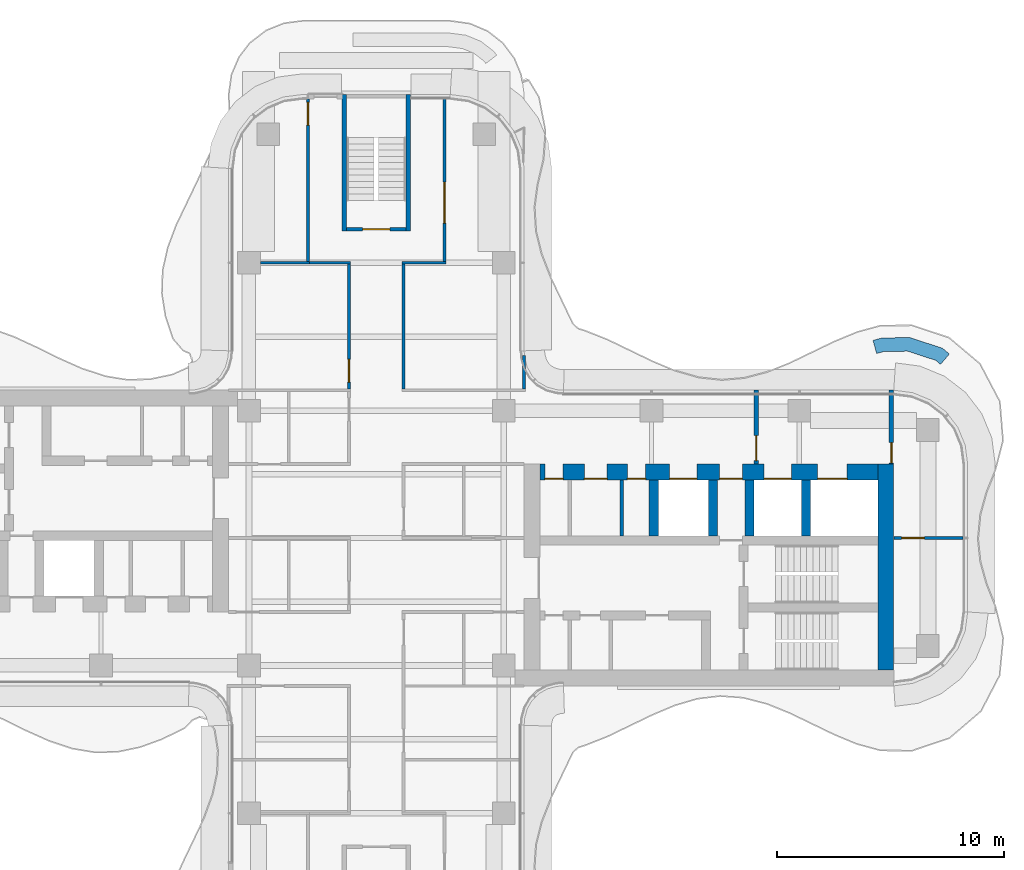
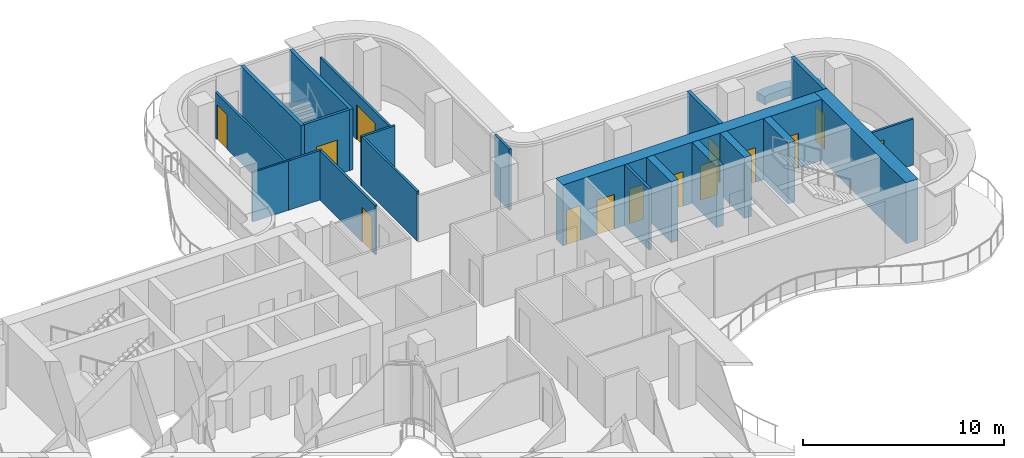
# One storey, part 13 of 16: 22 walls, 14 doors, 14 openings.
"""IFC4 building model written with IfcOpenShell, lengths in metres."""

from ifc_helpers import new_model, si_unit, direction, frame, frame_2d, origin, place, context, subcontext, project, spatial, polyline, rectangle, outline, extrude, source, transform, mapped, material, layer, layer_set, type_object, element, fill, save


model = new_model("IFC4")

# Units and contexts
model_context = context("Model", 3, precision=1e-05, world=origin(), true_north=direction((0.0, 1.0)))
body_context = subcontext(model_context, "Body", "Model", "MODEL_VIEW")
ifc_project = project(units=[si_unit("LENGTHUNIT", "METRE"), si_unit("AREAUNIT", "SQUARE_METRE"), si_unit("VOLUMEUNIT", "CUBIC_METRE"), si_unit("PLANEANGLEUNIT", "RADIAN"), si_unit("MASSUNIT", "GRAM", prefix="KILO")], contexts=[model_context])

# Site, building, storey
site_placement = place(None, origin())
site = spatial("IfcSite", under=ifc_project, at=site_placement, CompositionType="ELEMENT")
building_placement = place(site_placement, origin())
building = spatial("IfcBuilding", under=site, at=building_placement, Name="Trellis Farm Tower", CompositionType="ELEMENT")
storey_placement = place(building_placement, frame((0.0, 0.0, 302.800048828125)))
storey = spatial("IfcBuildingStorey", under=building, at=storey_placement, Name="L68", CompositionType="ELEMENT", Elevation=302.800048828125)

# Walls
ifc_material_1 = material(Name="Sandstone faced masonry planter", Category="masonry")
ifc_layer_1 = layer(ifc_material_1, 0.60009765625)
ifc_layer_set_1 = layer_set([ifc_layer_1], Name="PLANTER BED 600")
wall_type_1 = type_object("IfcWallType", Name="PLANTER BED 600", PredefinedType="USERDEFINED", material=ifc_layer_set_1)
wall_1_placement = place(storey_placement, origin())
element("IfcWall", 1, at=wall_1_placement, inside=storey, type_object=wall_type_1, Name="PLANTER bed", ObjectType="PLANTER", PredefinedType="USERDEFINED", context=body_context, shape_type="SweptSolid", body=[
    extrude(outline(polyline([(23.447998046875, 8.815673828125), (24.893310546875, 8.34521484375), (25.1943359375, 8.091064453125), (24.80712890625, 7.6328125), (24.595947265625, 7.81103515625), (23.357421875, 8.214111328125), (22.31201171875, 8.197998046875), (21.997314453125, 8.11083984375), (21.83740234375, 8.689208984375), (22.22607421875, 8.796630859375), (23.447998046875, 8.815673828125)])), origin(), (0.0, 0.0, 1.0), 0.5),
])
ifc_material_2 = material(Name="Concrete C50/60", Category="concrete")
ifc_layer_2 = layer(ifc_material_2, 0.699951171875)
ifc_layer_set_2 = layer_set([ifc_layer_2], Name="CORE OUTER WALL 700 CONCRETE C50/60")
wall_type_2 = type_object("IfcWallType", Name="CORE OUTER WALL 700 CONCRETE C50/60", PredefinedType="SHEAR", material=ifc_layer_set_2)
shared_shape_1 = source(origin(), body_context, "Body", "SweptSolid", [
    extrude(rectangle(XDim=9.050048828125, YDim=0.699951171875, at=frame_2d((4.52490234375, 0.0))), origin(), (0.0, 0.0, 1.0), 3.699951171875),
])
wall_2_placement = place(storey_placement, frame((22.39990234375, -5.800048828125, 0.0), z_axis=(0.0, 0.0, 1.0), x_axis=(0.0, 1.0, 0.0)))
element("IfcWall", 2, at=wall_2_placement, inside=storey, type_object=wall_type_2, Name="Core wall", PredefinedType="SHEAR", context=body_context, shape_type="MappedRepresentation", body=[
    mapped(shared_shape_1, transform((0.0, 0.0, 0.0))),
])
ifc_layer_3 = layer(ifc_material_2, 0.39990234375)
ifc_layer_set_3 = layer_set([ifc_layer_3], Name="CORE INNER WALL 400 CONCRETE C50/60")
wall_type_3 = type_object("IfcWallType", Name="CORE INNER WALL 400 CONCRETE C50/60", PredefinedType="SHEAR", material=ifc_layer_set_3)
shared_shape_2 = source(origin(), body_context, "Body", "SweptSolid", [
    extrude(rectangle(XDim=2.449951171875, YDim=0.39990234375, at=frame_2d((1.22509765625, 0.0))), origin(), (0.0, 0.0, 1.0), 3.699951171875),
])
for number, where, z_axis, x_axis, name in (
    (3, (12.199951171875, 0.10009765625, 0.0), (0.0, 0.0, 1.0), (0.0, 1.0, 0.0), "Core wall"),
    (4, (14.800048828125, 0.10009765625, 0.0), (0.0, 0.0, 1.0), (0.0, 1.0, 0.0), "Core wall"),
    (5, (16.39990234375, 0.10009765625, 0.0), (0.0, 0.0, 1.0), (0.0, 1.0, 0.0), "Core wall"),
    (6, (18.89990234375, 0.10009765625, 0.0), (0.0, 0.0, 1.0), (0.0, 1.0, 0.0), "Core wall"),
):
    element("IfcWall", number, at=place(storey_placement, frame(where, z_axis=z_axis, x_axis=x_axis)), inside=storey, type_object=wall_type_3, Name=name, PredefinedType="SHEAR", context=body_context, shape_type="MappedRepresentation", body=[
        mapped(shared_shape_2, transform((0.0, 0.0, 0.0))),
    ])

# Wall, opening, door
ifc_material_3 = material(Name="Masonry blockwork", Category="masonry")
ifc_layer_4 = layer(ifc_material_3, 0.199951171875)
ifc_layer_set_4 = layer_set([ifc_layer_4], Name="FIRE LOBBY PARTITION 200 BLOCKWORK")
wall_type_4 = type_object("IfcWallType", Name="FIRE LOBBY PARTITION 200 BLOCKWORK", PredefinedType="PARTITIONING", material=ifc_layer_set_4)
shared_shape_3 = source(origin(), body_context, "Body", "SweptSolid", [
    extrude(rectangle(XDim=3.25, YDim=0.199951171875, at=frame_2d((1.625, 0.0))), origin(), (0.0, 0.0, 1.0), 3.699951171875),
])
wall_3_placement = place(storey_placement, frame((16.699951171875, 3.25, 0.0), z_axis=(0.0, 0.0, 1.0), x_axis=(0.0, 1.0, 0.0)))
wall_3 = element("IfcWall", 7, at=wall_3_placement, inside=storey, type_object=wall_type_4, Name="Fire-fighting lobby partition", PredefinedType="PARTITIONING", context=body_context, shape_type="MappedRepresentation", body=[
    mapped(shared_shape_3, transform((0.0, 0.0, 0.0))),
])
shared_shape_4 = source(origin(), body_context, "Body", "SweptSolid", [
    extrude(rectangle(XDim=1.10009765625, YDim=2.10009765625, at=frame_2d((0.550048828125, 1.050048828125))), frame((0.0, 0.110107421875, 0.0), z_axis=(0.0, -1.0, 0.0), x_axis=(1.0, 0.0, 0.0)), (0.0, 0.0, 1.0), 0.22021484375),
])
opening_1_placement = place(wall_3_placement, frame((0.14990234375, 0.0, 0.0)))
opening_1 = element("IfcOpeningElement", 8, at=opening_1_placement, cuts=wall_3, Name="Opening DC7", PredefinedType="OPENING", context=body_context, shape_type="MappedRepresentation", body=[
    mapped(shared_shape_4, transform((0.0, 0.0, 0.0))),
])
ifc_material_4 = material(Name="Steel", Category="steel")
door_type_1 = type_object("IfcDoorType", Name="CORE FIRE DOOR 1100 X 2100", OperationType="NOTDEFINED", PredefinedType="DOOR", material=ifc_material_4)
shared_shape_5 = source(origin(), body_context, "Body", "SweptSolid", [
    extrude(rectangle(XDim=1.10009765625, YDim=2.10009765625, at=frame_2d((0.550048828125, 1.050048828125))), frame((0.0, 0.02490234375, 0.0), z_axis=(0.0, -1.0, 0.0), x_axis=(1.0, 0.0, 0.0)), (0.0, 0.0, 1.0), 0.050048828125),
])
door_1_placement = place(opening_1_placement, origin())
door_1 = element("IfcDoor", 9, at=door_1_placement, inside=storey, type_object=door_type_1, Name="Core door", OperationType="SINGLE_SWING_RIGHT", OverallHeight=2.10009765625, OverallWidth=1.10009765625, PredefinedType="DOOR", context=body_context, shape_type="MappedRepresentation", body=[
    mapped(shared_shape_5, transform((0.0, 0.0, 0.0))),
])
fill(opening_1, door_1)

wall_4_placement = place(storey_placement, frame((22.64990234375, 3.25, 0.0), z_axis=(0.0, 0.0, 1.0), x_axis=(0.0, 1.0, 0.0)))
wall_4 = element("IfcWall", 10, at=wall_4_placement, inside=storey, type_object=wall_type_4, Name="Fire-fighting lobby partition", PredefinedType="PARTITIONING", context=body_context, shape_type="MappedRepresentation", body=[
    mapped(shared_shape_3, transform((0.0, 0.0, 0.0))),
])
shared_shape_6 = source(origin(), body_context, "Body", "SweptSolid", [
    extrude(rectangle(XDim=0.89990234375, YDim=2.10009765625, at=frame_2d((0.449951171875, 1.050048828125))), frame((0.0, 0.110107421875, 0.0), z_axis=(0.0, -1.0, 0.0), x_axis=(1.0, 0.0, 0.0)), (0.0, 0.0, 1.0), 0.22021484375),
])
opening_2_placement = place(wall_4_placement, frame((0.050048828125, 0.0, 0.0)))
opening_2 = element("IfcOpeningElement", 11, at=opening_2_placement, cuts=wall_4, Name="Opening DC8", PredefinedType="OPENING", context=body_context, shape_type="MappedRepresentation", body=[
    mapped(shared_shape_6, transform((0.0, 0.0, 0.0))),
])
door_type_2 = type_object("IfcDoorType", Name="CORE FIRE DOOR 900 X 2100", OperationType="NOTDEFINED", PredefinedType="DOOR", material=ifc_material_4)
shared_shape_7 = source(origin(), body_context, "Body", "SweptSolid", [
    extrude(rectangle(XDim=0.89990234375, YDim=2.10009765625, at=frame_2d((0.449951171875, 1.050048828125))), frame((0.0, 0.02490234375, 0.0), z_axis=(0.0, -1.0, 0.0), x_axis=(1.0, 0.0, 0.0)), (0.0, 0.0, 1.0), 0.050048828125),
])
door_2_placement = place(opening_2_placement, origin())
door_2 = element("IfcDoor", 12, at=door_2_placement, inside=storey, type_object=door_type_2, Name="Core door", OperationType="SINGLE_SWING_RIGHT", OverallHeight=2.10009765625, OverallWidth=0.89990234375, PredefinedType="DOOR", context=body_context, shape_type="MappedRepresentation", body=[
    mapped(shared_shape_7, transform((0.0, 0.0, 0.0))),
])
fill(opening_2, door_2)

# Wall, openings, doors
shared_shape_8 = source(origin(), body_context, "Body", "SweptSolid", [
    extrude(rectangle(XDim=14.85009765625, YDim=0.699951171875, at=frame_2d((7.425048828125, 0.0))), origin(), (0.0, 0.0, 1.0), 3.699951171875),
])
wall_5_placement = place(storey_placement, frame((7.199951171875, 2.89990234375, 0.0), z_axis=(0.0, 0.0, 1.0), x_axis=(1.0, 0.0, 0.0)))
wall_5 = element("IfcWall", 13, at=wall_5_placement, inside=storey, type_object=wall_type_2, Name="Core wall", PredefinedType="SHEAR", context=body_context, shape_type="MappedRepresentation", body=[
    mapped(shared_shape_8, transform((0.0, 0.0, 0.0))),
])
shared_shape_9 = source(origin(), body_context, "Body", "SweptSolid", [
    extrude(rectangle(XDim=1.199951171875, YDim=2.10009765625, at=frame_2d((0.60009765625, 1.050048828125))), frame((0.0, 0.360107421875, 0.0), z_axis=(0.0, -1.0, 0.0), x_axis=(1.0, 0.0, 0.0)), (0.0, 0.0, 1.0), 0.72021484375),
])
opening_3_placement = place(wall_5_placement, frame((5.699951171875, 0.0, 0.0)))
opening_3 = element("IfcOpeningElement", 14, at=opening_3_placement, cuts=wall_5, Name="Opening LD6", PredefinedType="OPENING", context=body_context, shape_type="MappedRepresentation", body=[
    mapped(shared_shape_9, transform((0.0, 0.0, 0.0))),
])
shared_shape_10 = source(origin(), body_context, "Body", "SweptSolid", [
    extrude(rectangle(XDim=1.300048828125, YDim=2.10009765625, at=frame_2d((0.64990234375, 1.050048828125))), frame((0.0, 0.360107421875, 0.0), z_axis=(0.0, -1.0, 0.0), x_axis=(1.0, 0.0, 0.0)), (0.0, 0.0, 1.0), 0.72021484375),
])
opening_4_placement = place(wall_5_placement, frame((12.199951171875, 0.0, 0.0)))
opening_4 = element("IfcOpeningElement", 15, at=opening_4_placement, cuts=wall_5, Name="Opening LD7", PredefinedType="OPENING", context=body_context, shape_type="MappedRepresentation", body=[
    mapped(shared_shape_10, transform((0.0, 0.0, 0.0))),
])
opening_5_placement = place(wall_5_placement, frame((9.85009765625, 0.0, 0.0)))
opening_5 = element("IfcOpeningElement", 16, at=opening_5_placement, cuts=wall_5, Name="Opening LD8", PredefinedType="OPENING", context=body_context, shape_type="MappedRepresentation", body=[
    mapped(shared_shape_9, transform((0.0, 0.0, 0.0))),
])
shared_shape_11 = source(origin(), body_context, "Body", "SweptSolid", [
    extrude(rectangle(XDim=1.0, YDim=2.10009765625, at=frame_2d((0.5, 1.050048828125))), frame((0.0, 0.360107421875, 0.0), z_axis=(0.0, -1.0, 0.0), x_axis=(1.0, 0.0, 0.0)), (0.0, 0.0, 1.0), 0.72021484375),
])
opening_6_placement = place(wall_5_placement, frame((7.89990234375, 0.0, 0.0)))
opening_6 = element("IfcOpeningElement", 17, at=opening_6_placement, cuts=wall_5, Name="Opening DC6", PredefinedType="OPENING", context=body_context, shape_type="MappedRepresentation", body=[
    mapped(shared_shape_11, transform((0.0, 0.0, 0.0))),
])
shared_shape_12 = source(origin(), body_context, "Body", "SweptSolid", [
    extrude(rectangle(XDim=0.800048828125, YDim=2.10009765625, at=frame_2d((0.39990234375, 1.050048828125))), frame((0.0, 0.360107421875, 0.0), z_axis=(0.0, -1.0, 0.0), x_axis=(1.0, 0.0, 0.0)), (0.0, 0.0, 1.0), 0.72021484375),
])
opening_7_placement = place(wall_5_placement, frame((0.21240234375, 0.0, 0.0)))
opening_7 = element("IfcOpeningElement", 18, at=opening_7_placement, cuts=wall_5, Name="Opening DC10", PredefinedType="OPENING", context=body_context, shape_type="MappedRepresentation", body=[
    mapped(shared_shape_12, transform((0.0, 0.0, 0.0))),
])
opening_8_placement = place(wall_5_placement, frame((1.949951171875, 0.0, 0.0)))
opening_8 = element("IfcOpeningElement", 19, at=opening_8_placement, cuts=wall_5, Name="Opening DC19", PredefinedType="OPENING", context=body_context, shape_type="MappedRepresentation", body=[
    mapped(shared_shape_11, transform((0.0, 0.0, 0.0))),
])
opening_9_placement = place(wall_5_placement, frame((3.83740234375, 0.0, 0.0)))
opening_9 = element("IfcOpeningElement", 20, at=opening_9_placement, cuts=wall_5, Name="Opening DC22", PredefinedType="OPENING", context=body_context, shape_type="MappedRepresentation", body=[
    mapped(shared_shape_12, transform((0.0, 0.0, 0.0))),
])
door_type_3 = type_object("IfcDoorType", Name="CORE FIRE DOOR 1000 X 2100", OperationType="NOTDEFINED", PredefinedType="DOOR", material=ifc_material_4)
shared_shape_13 = source(origin(), body_context, "Body", "SweptSolid", [
    extrude(rectangle(XDim=1.0, YDim=2.10009765625, at=frame_2d((0.5, 1.050048828125))), frame((0.0, -0.27490234375, 0.0), z_axis=(0.0, -1.0, 0.0), x_axis=(1.0, 0.0, 0.0)), (0.0, 0.0, 1.0), 0.050048828125),
])
door_3_placement = place(opening_6_placement, origin())
door_3 = element("IfcDoor", 21, at=door_3_placement, inside=storey, type_object=door_type_3, Name="Core door", OperationType="SINGLE_SWING_LEFT", OverallHeight=2.10009765625, OverallWidth=1.0, PredefinedType="DOOR", context=body_context, shape_type="MappedRepresentation", body=[
    mapped(shared_shape_13, transform((0.0, 0.0, 0.0))),
])
fill(opening_6, door_3)
door_4_placement = place(opening_8_placement, origin())
door_4 = element("IfcDoor", 22, at=door_4_placement, inside=storey, type_object=door_type_3, Name="Core door", OperationType="SINGLE_SWING_LEFT", OverallHeight=2.10009765625, OverallWidth=1.0, PredefinedType="DOOR", context=body_context, shape_type="MappedRepresentation", body=[
    mapped(shared_shape_13, transform((0.0, 0.0, 0.0))),
])
fill(opening_8, door_4)
ifc_material_5 = material(Name="Stainless steel", Category="steel")
door_type_4 = type_object("IfcDoorType", Name="LIFT LANDING DOOR 1300 X 2100", OperationType="DOUBLE_DOOR_SLIDING", PredefinedType="DOOR", material=ifc_material_5)
shared_shape_14 = source(origin(), body_context, "Body", "SweptSolid", [
    extrude(rectangle(XDim=1.300048828125, YDim=2.10009765625, at=frame_2d((0.64990234375, 1.050048828125))), frame((0.0, -0.27490234375, 0.0), z_axis=(0.0, -1.0, 0.0), x_axis=(1.0, 0.0, 0.0)), (0.0, 0.0, 1.0), 0.050048828125),
])
door_5_placement = place(opening_4_placement, origin())
door_5 = element("IfcDoor", 23, at=door_5_placement, inside=storey, type_object=door_type_4, Name="Lift landing door", OperationType="DOUBLE_DOOR_SLIDING", OverallHeight=2.10009765625, OverallWidth=1.300048828125, PredefinedType="DOOR", context=body_context, shape_type="MappedRepresentation", body=[
    mapped(shared_shape_14, transform((0.0, 0.0, 0.0))),
])
fill(opening_4, door_5)
door_type_5 = type_object("IfcDoorType", Name="LIFT LANDING DOOR 1200 X 2100", OperationType="DOUBLE_DOOR_SLIDING", PredefinedType="DOOR", material=ifc_material_5)
shared_shape_15 = source(origin(), body_context, "Body", "SweptSolid", [
    extrude(rectangle(XDim=1.199951171875, YDim=2.10009765625, at=frame_2d((0.60009765625, 1.050048828125))), frame((0.0, -0.27490234375, 0.0), z_axis=(0.0, -1.0, 0.0), x_axis=(1.0, 0.0, 0.0)), (0.0, 0.0, 1.0), 0.050048828125),
])
door_6_placement = place(opening_3_placement, origin())
door_6 = element("IfcDoor", 24, at=door_6_placement, inside=storey, type_object=door_type_5, Name="Lift landing door", OperationType="DOUBLE_DOOR_SLIDING", OverallHeight=2.10009765625, OverallWidth=1.199951171875, PredefinedType="DOOR", context=body_context, shape_type="MappedRepresentation", body=[
    mapped(shared_shape_15, transform((0.0, 0.0, 0.0))),
])
fill(opening_3, door_6)
door_7_placement = place(opening_5_placement, origin())
door_7 = element("IfcDoor", 25, at=door_7_placement, inside=storey, type_object=door_type_5, Name="Lift landing door", OperationType="DOUBLE_DOOR_SLIDING", OverallHeight=2.10009765625, OverallWidth=1.199951171875, PredefinedType="DOOR", context=body_context, shape_type="MappedRepresentation", body=[
    mapped(shared_shape_15, transform((0.0, 0.0, 0.0))),
])
fill(opening_5, door_7)
door_type_6 = type_object("IfcDoorType", Name="CORE FIRE DOOR 800 X 2100", OperationType="NOTDEFINED", PredefinedType="DOOR", material=ifc_material_4)
shared_shape_16 = source(origin(), body_context, "Body", "SweptSolid", [
    extrude(rectangle(XDim=0.800048828125, YDim=2.10009765625, at=frame_2d((0.39990234375, 1.050048828125))), frame((0.0, -0.27490234375, 0.0), z_axis=(0.0, -1.0, 0.0), x_axis=(1.0, 0.0, 0.0)), (0.0, 0.0, 1.0), 0.050048828125),
])
door_8_placement = place(opening_7_placement, origin())
door_8 = element("IfcDoor", 26, at=door_8_placement, inside=storey, type_object=door_type_6, Name="Core door", OperationType="SINGLE_SWING_RIGHT", OverallHeight=2.10009765625, OverallWidth=0.800048828125, PredefinedType="DOOR", context=body_context, shape_type="MappedRepresentation", body=[
    mapped(shared_shape_16, transform((0.0, 0.0, 0.0))),
])
fill(opening_7, door_8)
door_9_placement = place(opening_9_placement, origin())
door_9 = element("IfcDoor", 27, at=door_9_placement, inside=storey, type_object=door_type_6, Name="Core door", OperationType="SINGLE_SWING_RIGHT", OverallHeight=2.10009765625, OverallWidth=0.800048828125, PredefinedType="DOOR", context=body_context, shape_type="MappedRepresentation", body=[
    mapped(shared_shape_16, transform((0.0, 0.0, 0.0))),
])
fill(opening_9, door_9)

# Walls
ifc_layer_5 = layer(ifc_material_3, 0.14990234375)
ifc_layer_set_5 = layer_set([ifc_layer_5], Name="CORE PARTITION 150 BLOCKWORK")
wall_type_5 = type_object("IfcWallType", Name="CORE PARTITION 150 BLOCKWORK", PredefinedType="PARTITIONING", material=ifc_layer_set_5)
shared_shape_17 = source(origin(), body_context, "Body", "SweptSolid", [
    extrude(rectangle(XDim=2.449951171875, YDim=0.14990234375, at=frame_2d((1.22509765625, 0.0))), origin(), (0.0, 0.0, 1.0), 3.699951171875),
])
wall_6_placement = place(storey_placement, frame((10.800048828125, 0.10009765625, 0.0), z_axis=(0.0, 0.0, 1.0), x_axis=(0.0, 1.0, 0.0)))
element("IfcWall", 28, at=wall_6_placement, inside=storey, type_object=wall_type_5, Name="Core room partition", PredefinedType="PARTITIONING", context=body_context, shape_type="MappedRepresentation", body=[
    mapped(shared_shape_17, transform((0.0, 0.0, 0.0))),
])
ifc_layer_6 = layer(ifc_material_2, 0.199951171875)
ifc_layer_set_6 = layer_set([ifc_layer_6], Name="CORE STAIR ENCLOSURE WALL 200 CONCRETE C50/60")
wall_type_6 = type_object("IfcWallType", Name="CORE STAIR ENCLOSURE WALL 200 CONCRETE C50/60", PredefinedType="SHEAR", material=ifc_layer_set_6)
shared_shape_18 = source(origin(), body_context, "Body", "SweptSolid", [
    extrude(rectangle(XDim=6.0, YDim=0.199951171875, at=frame_2d((3.0, 0.0))), origin(), (0.0, 0.0, 1.0), 3.699951171875),
])
for number, where, z_axis, x_axis, name in (
    (29, (-1.39990234375, 13.5, 0.0), (0.0, 0.0, 1.0), (0.0, 1.0, 0.0), "Stair enclosure wall"),
    (30, (1.39990234375, 13.5, 0.0), (0.0, 0.0, 1.0), (0.0, 1.0, 0.0), "Stair enclosure wall"),
):
    element("IfcWall", number, at=place(storey_placement, frame(where, z_axis=z_axis, x_axis=x_axis)), inside=storey, type_object=wall_type_6, Name=name, PredefinedType="SHEAR", context=body_context, shape_type="MappedRepresentation", body=[
        mapped(shared_shape_18, transform((0.0, 0.0, 0.0))),
    ])

# Wall, opening, door
ifc_layer_7 = layer(ifc_material_2, 0.14990234375)
ifc_layer_set_7 = layer_set([ifc_layer_7], Name="CORE STAIR ENCLOSURE WALL 150 CONCRETE C50/60")
wall_type_7 = type_object("IfcWallType", Name="CORE STAIR ENCLOSURE WALL 150 CONCRETE C50/60", PredefinedType="SHEAR", material=ifc_layer_set_7)
shared_shape_19 = source(origin(), body_context, "Body", "SweptSolid", [
    extrude(rectangle(XDim=2.60009765625, YDim=0.14990234375, at=frame_2d((1.300048828125, 0.0))), origin(), (0.0, 0.0, 1.0), 3.699951171875),
])
wall_7_placement = place(storey_placement, frame((-1.300048828125, 13.574951171875, 0.0), z_axis=(0.0, 0.0, 1.0), x_axis=(1.0, 0.0, 0.0)))
wall_7 = element("IfcWall", 31, at=wall_7_placement, inside=storey, type_object=wall_type_7, Name="Stair enclosure wall", PredefinedType="SHEAR", context=body_context, shape_type="MappedRepresentation", body=[
    mapped(shared_shape_19, transform((0.0, 0.0, 0.0))),
])
shared_shape_20 = source(origin(), body_context, "Body", "SweptSolid", [
    extrude(rectangle(XDim=1.199951171875, YDim=2.10009765625, at=frame_2d((0.60009765625, 1.050048828125))), frame((0.0, 0.0849609375, 0.0), z_axis=(0.0, -1.0, 0.0), x_axis=(1.0, 0.0, 0.0)), (0.0, 0.0, 1.0), 0.169921875),
])
opening_10_placement = place(wall_7_placement, frame((0.699951171875, 0.0, 0.0)))
opening_10 = element("IfcOpeningElement", 32, at=opening_10_placement, cuts=wall_7, Name="Opening DC173", PredefinedType="OPENING", context=body_context, shape_type="MappedRepresentation", body=[
    mapped(shared_shape_20, transform((0.0, 0.0, 0.0))),
])
door_type_7 = type_object("IfcDoorType", Name="CORE FIRE DOOR 1200 X 2100", OperationType="NOTDEFINED", PredefinedType="DOOR", material=ifc_material_4)
shared_shape_21 = source(origin(), body_context, "Body", "SweptSolid", [
    extrude(rectangle(XDim=1.199951171875, YDim=2.10009765625, at=frame_2d((0.60009765625, 1.050048828125))), frame((0.0, 0.02490234375, 0.0), z_axis=(0.0, -1.0, 0.0), x_axis=(1.0, 0.0, 0.0)), (0.0, 0.0, 1.0), 0.050048828125),
])
door_10_placement = place(opening_10_placement, origin())
door_10 = element("IfcDoor", 33, at=door_10_placement, inside=storey, type_object=door_type_7, Name="Core door", OperationType="SINGLE_SWING_LEFT", OverallHeight=2.10009765625, OverallWidth=1.199951171875, PredefinedType="DOOR", context=body_context, shape_type="MappedRepresentation", body=[
    mapped(shared_shape_21, transform((0.0, 0.0, 0.0))),
])
fill(opening_10, door_10)

# Walls
ifc_material_6 = material(Name="Plasterboard on steel studs, mineral wool", Category="steel")
ifc_layer_8 = layer(ifc_material_6, 0.125)
ifc_layer_set_8 = layer_set([ifc_layer_8], Name="PARTITION 125 STUD EI 60")
wall_type_8 = type_object("IfcWallType", Name="PARTITION 125 STUD EI 60", PredefinedType="PARTITIONING", material=ifc_layer_set_8)
shared_shape_22 = source(origin(), body_context, "Body", "SweptSolid", [
    extrude(rectangle(XDim=5.47509765625, YDim=0.125, at=frame_2d((2.737548828125, 0.0))), origin(), (0.0, 0.0, 1.0), 2.99658203125),
])
wall_8_placement = place(storey_placement, frame((1.199951171875, 12.03759765625, 0.0), z_axis=(0.0, 0.0, 1.0), x_axis=(0.0, -1.0, 0.0)))
element("IfcWall", 34, at=wall_8_placement, inside=storey, type_object=wall_type_8, Name="Partition PW1", PredefinedType="PARTITIONING", context=body_context, shape_type="MappedRepresentation", body=[
    mapped(shared_shape_22, transform((0.0, 0.0, 0.0))),
])
shared_shape_23 = source(origin(), body_context, "Body", "SweptSolid", [
    extrude(rectangle(XDim=1.468994140625, YDim=0.125, at=frame_2d((0.734375, 0.0))), origin(), (0.0, 0.0, 1.0), 3.699951171875),
])
wall_9_placement = place(storey_placement, frame((6.5, 6.5625, 0.0), z_axis=(0.0, 0.0, 1.0), x_axis=(0.0, 1.0, 0.0)))
element("IfcWall", 35, at=wall_9_placement, inside=storey, type_object=wall_type_8, Name="Partition PW1", PredefinedType="PARTITIONING", context=body_context, shape_type="MappedRepresentation", body=[
    mapped(shared_shape_23, transform((0.0, 0.0, 0.0))),
])
shared_shape_24 = source(origin(), body_context, "Body", "SweptSolid", [
    extrude(rectangle(XDim=1.925048828125, YDim=0.125, at=frame_2d((0.96240234375, 0.0))), origin(), (0.0, 0.0, 1.0), 2.99658203125),
])
for number, where, z_axis, x_axis, name in (
    (36, (-1.137451171875, 12.10009765625, 0.0), (0.0, 0.0, 1.0), (-1.0, 0.0, 0.0), "Partition PW1"),
    (37, (3.0625, 12.10009765625, 0.0), (0.0, 0.0, 1.0), (-1.0, 0.0, 0.0), "Partition PW1"),
):
    element("IfcWall", number, at=place(storey_placement, frame(where, z_axis=z_axis, x_axis=x_axis)), inside=storey, type_object=wall_type_8, Name=name, PredefinedType="PARTITIONING", context=body_context, shape_type="MappedRepresentation", body=[
        mapped(shared_shape_24, transform((0.0, 0.0, 0.0))),
    ])

# Wall, opening, door
shared_shape_25 = source(origin(), body_context, "Body", "SweptSolid", [
    extrude(rectangle(XDim=3.050048828125, YDim=0.125, at=frame_2d((1.52490234375, 0.0))), origin(), (0.0, 0.0, 1.0), 2.780029296875),
])
wall_10_placement = place(storey_placement, frame((25.800048828125, 0.0, 0.0), z_axis=(0.0, 0.0, 1.0), x_axis=(-1.0, 0.0, 0.0)))
wall_10 = element("IfcWall", 38, at=wall_10_placement, inside=storey, type_object=wall_type_8, Name="Partition PW1", PredefinedType="PARTITIONING", context=body_context, shape_type="MappedRepresentation", body=[
    mapped(shared_shape_25, transform((0.0, 0.0, 0.0))),
])
shared_shape_26 = source(origin(), body_context, "Body", "SweptSolid", [
    extrude(rectangle(XDim=1.0, YDim=2.10009765625, at=frame_2d((0.5, 1.050048828125))), frame((0.0, 0.072509765625, 0.0), z_axis=(0.0, -1.0, 0.0), x_axis=(1.0, 0.0, 0.0)), (0.0, 0.0, 1.0), 0.14501953125),
])
opening_11_placement = place(wall_10_placement, frame((1.699951171875, 0.0, 0.0)))
opening_11 = element("IfcOpeningElement", 39, at=opening_11_placement, cuts=wall_10, Name="Opening D110", PredefinedType="OPENING", context=body_context, shape_type="MappedRepresentation", body=[
    mapped(shared_shape_26, transform((0.0, 0.0, 0.0))),
])
ifc_material_7 = material(Name="Fire-rated timber door leaf in a hollow metal frame", Category="wood")
door_type_8 = type_object("IfcDoorType", Name="DOOR 1000x2100 FD30S", OperationType="NOTDEFINED", PredefinedType="DOOR", material=ifc_material_7)
shared_shape_27 = source(origin(), body_context, "Body", "SweptSolid", [
    extrude(rectangle(XDim=1.0, YDim=2.10009765625, at=frame_2d((0.5, 1.050048828125))), frame((0.0, 0.02490234375, 0.0), z_axis=(0.0, -1.0, 0.0), x_axis=(1.0, 0.0, 0.0)), (0.0, 0.0, 1.0), 0.050048828125),
])
door_11_placement = place(opening_11_placement, origin())
door_11 = element("IfcDoor", 40, at=door_11_placement, inside=storey, type_object=door_type_8, Name="Door D110", OperationType="SINGLE_SWING_RIGHT", OverallHeight=2.10009765625, OverallWidth=1.0, PredefinedType="DOOR", context=body_context, shape_type="MappedRepresentation", body=[
    mapped(shared_shape_27, transform((0.0, 0.0, 0.0))),
])
fill(opening_11, door_11)

# Wall
ifc_material_8 = material(Name="Plasterboard on steel studs", Category="steel")
ifc_layer_9 = layer(ifc_material_8, 0.10009765625)
ifc_layer_set_9 = layer_set([ifc_layer_9], Name="PARTITION 100 STUD EI 30")
wall_type_9 = type_object("IfcWallType", Name="PARTITION 100 STUD EI 30", PredefinedType="PARTITIONING", material=ifc_layer_set_9)
shared_shape_28 = source(origin(), body_context, "Body", "SweptSolid", [
    extrude(rectangle(XDim=2.16259765625, YDim=0.10009765625, at=frame_2d((1.081298828125, 0.0))), origin(), (0.0, 0.0, 1.0), 2.99658203125),
])
wall_11_placement = place(storey_placement, frame((-5.10009765625, 12.10009765625, 0.0), z_axis=(0.0, 0.0, 1.0), x_axis=(1.0, 0.0, 0.0)))
element("IfcWall", 41, at=wall_11_placement, inside=storey, type_object=wall_type_9, Name="Partition PW2", PredefinedType="PARTITIONING", context=body_context, shape_type="MappedRepresentation", body=[
    mapped(shared_shape_28, transform((0.0, 0.0, 0.0))),
])

# Wall, opening, door
shared_shape_29 = source(origin(), body_context, "Body", "SweptSolid", [
    extrude(rectangle(XDim=7.150146484375, YDim=0.125, at=frame_2d((3.5751953125, 0.0))), origin(), (0.0, 0.0, 1.0), 2.780029296875),
])
wall_12_placement = place(storey_placement, frame((-3.0, 12.14990234375, 0.0), z_axis=(0.0, 0.0, 1.0), x_axis=(0.0, 1.0, 0.0)))
wall_12 = element("IfcWall", 42, at=wall_12_placement, inside=storey, type_object=wall_type_8, Name="Partition PW1", PredefinedType="PARTITIONING", context=body_context, shape_type="MappedRepresentation", body=[
    mapped(shared_shape_29, transform((0.0, 0.0, 0.0))),
])
opening_12_placement = place(wall_12_placement, frame((6.0, 0.0, 0.0)))
opening_12 = element("IfcOpeningElement", 43, at=opening_12_placement, cuts=wall_12, Name="Opening D115", PredefinedType="OPENING", context=body_context, shape_type="MappedRepresentation", body=[
    mapped(shared_shape_26, transform((0.0, 0.0, 0.0))),
])
door_12_placement = place(opening_12_placement, origin())
door_12 = element("IfcDoor", 44, at=door_12_placement, inside=storey, type_object=door_type_8, Name="Door D115", OperationType="SINGLE_SWING_RIGHT", OverallHeight=2.10009765625, OverallWidth=1.0, PredefinedType="DOOR", context=body_context, shape_type="MappedRepresentation", body=[
    mapped(shared_shape_27, transform((0.0, 0.0, 0.0))),
])
fill(opening_12, door_12)

shared_shape_30 = source(origin(), body_context, "Body", "SweptSolid", [
    extrude(rectangle(XDim=5.487548828125, YDim=0.125, at=frame_2d((2.74365234375, 0.0))), origin(), (0.0, 0.0, 1.0), 2.99658203125),
])
wall_13_placement = place(storey_placement, frame((-1.199951171875, 6.550048828125, 0.0), z_axis=(0.0, 0.0, 1.0), x_axis=(0.0, 1.0, 0.0)))
wall_13 = element("IfcWall", 45, at=wall_13_placement, inside=storey, type_object=wall_type_8, Name="Partition PW1", PredefinedType="PARTITIONING", context=body_context, shape_type="MappedRepresentation", body=[
    mapped(shared_shape_30, transform((0.0, 0.0, 0.0))),
])
opening_13_placement = place(wall_13_placement, frame((0.300048828125, 0.0, 0.0)))
opening_13 = element("IfcOpeningElement", 46, at=opening_13_placement, cuts=wall_13, Name="Opening D114", PredefinedType="OPENING", context=body_context, shape_type="MappedRepresentation", body=[
    mapped(shared_shape_26, transform((0.0, 0.0, 0.0))),
])
door_13_placement = place(opening_13_placement, origin())
door_13 = element("IfcDoor", 47, at=door_13_placement, inside=storey, type_object=door_type_8, Name="Door D114", OperationType="SINGLE_SWING_LEFT", OverallHeight=2.10009765625, OverallWidth=1.0, PredefinedType="DOOR", context=body_context, shape_type="MappedRepresentation", body=[
    mapped(shared_shape_27, transform((0.0, 0.0, 0.0))),
])
fill(opening_13, door_13)

shared_shape_31 = source(origin(), body_context, "Body", "SweptSolid", [
    extrude(rectangle(XDim=7.137451171875, YDim=0.125, at=frame_2d((3.56884765625, 0.0))), origin(), (0.0, 0.0, 1.0), 2.780029296875),
])
wall_14_placement = place(storey_placement, frame((3.0, 19.300048828125, 0.0), z_axis=(0.0, 0.0, 1.0), x_axis=(0.0, -1.0, 0.0)))
wall_14 = element("IfcWall", 48, at=wall_14_placement, inside=storey, type_object=wall_type_8, Name="Partition PW1", PredefinedType="PARTITIONING", context=body_context, shape_type="MappedRepresentation", body=[
    mapped(shared_shape_31, transform((0.0, 0.0, 0.0))),
])
shared_shape_32 = source(origin(), body_context, "Body", "SweptSolid", [
    extrude(rectangle(XDim=1.800048828125, YDim=2.10009765625, at=frame_2d((0.89990234375, 1.050048828125))), frame((0.0, 0.072509765625, 0.0), z_axis=(0.0, -1.0, 0.0), x_axis=(1.0, 0.0, 0.0)), (0.0, 0.0, 1.0), 0.14501953125),
])
opening_14_placement = place(wall_14_placement, frame((3.64990234375, 0.0, 0.0)))
opening_14 = element("IfcOpeningElement", 49, at=opening_14_placement, cuts=wall_14, Name="Opening D202", PredefinedType="OPENING", context=body_context, shape_type="MappedRepresentation", body=[
    mapped(shared_shape_32, transform((0.0, 0.0, 0.0))),
])
door_type_9 = type_object("IfcDoorType", Name="DOOR PAIR 1800x2100 FD30S", OperationType="NOTDEFINED", PredefinedType="DOOR", material=ifc_material_7)
shared_shape_33 = source(origin(), body_context, "Body", "SweptSolid", [
    extrude(rectangle(XDim=1.800048828125, YDim=2.10009765625, at=frame_2d((0.89990234375, 1.050048828125))), frame((0.0, 0.02490234375, 0.0), z_axis=(0.0, -1.0, 0.0), x_axis=(1.0, 0.0, 0.0)), (0.0, 0.0, 1.0), 0.050048828125),
])
door_14_placement = place(opening_14_placement, origin())
door_14 = element("IfcDoor", 50, at=door_14_placement, inside=storey, type_object=door_type_9, Name="Door D202", OperationType="DOUBLE_DOOR_SINGLE_SWING", OverallHeight=2.10009765625, OverallWidth=1.800048828125, PredefinedType="DOOR", context=body_context, shape_type="MappedRepresentation", body=[
    mapped(shared_shape_33, transform((0.0, 0.0, 0.0))),
])
fill(opening_14, door_14)

save(model, "model.ifc")
